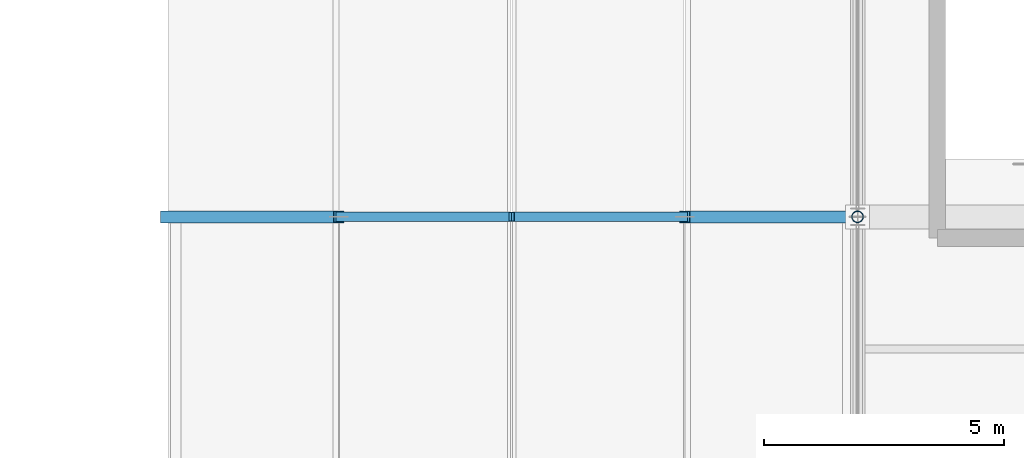
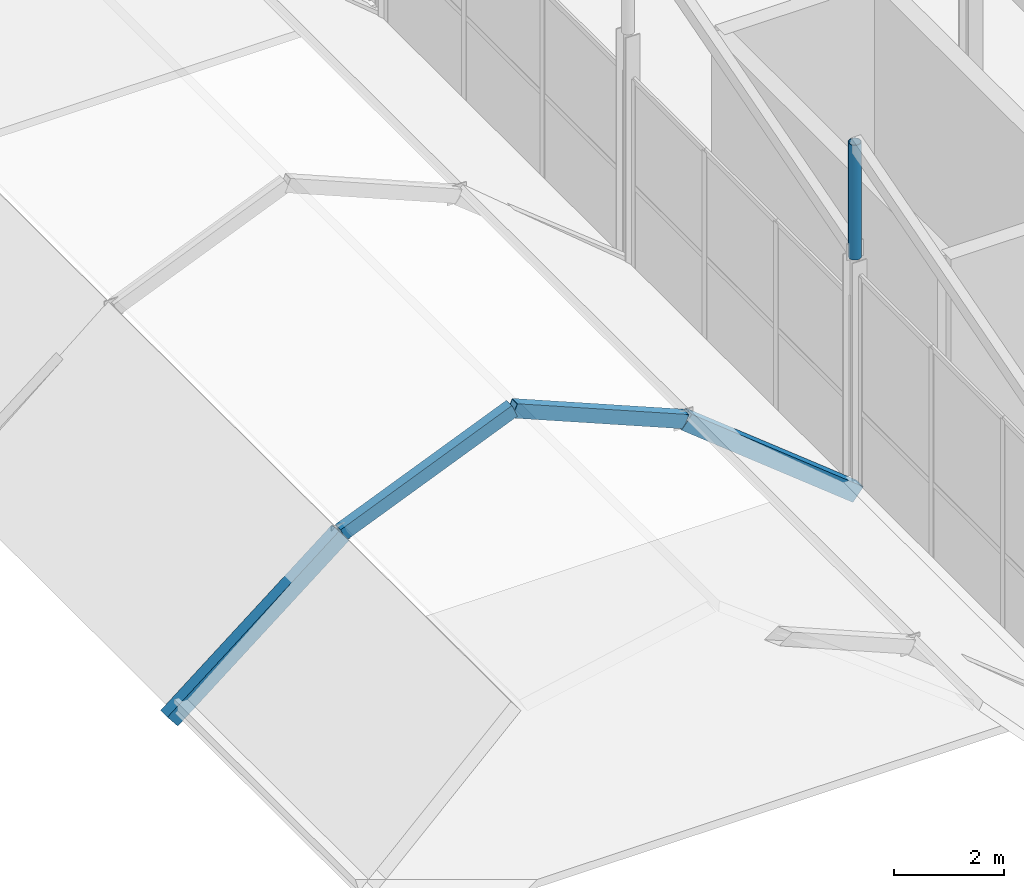
# One storey, part 17 of 141: 5 members.
"""IFC4 building model written with IfcOpenShell, lengths in metres."""

from ifc_helpers import new_model, si_unit, direction, frame, origin, origin_2d, place, context, subcontext, project, spatial, hollow_rectangle, hollow_circle, extrude, material, material_profile, profile_set, type_object, element, save


model = new_model("IFC4")

# Units and contexts
model_context = context("Model", 3, precision=1e-05, world=origin(), true_north=direction((0.0, 1.0)))
body_context = subcontext(model_context, "Body", "Model", "MODEL_VIEW")
ifc_project = project(units=[si_unit("LENGTHUNIT", "METRE"), si_unit("AREAUNIT", "SQUARE_METRE"), si_unit("VOLUMEUNIT", "CUBIC_METRE"), si_unit("PLANEANGLEUNIT", "RADIAN"), si_unit("MASSUNIT", "GRAM", prefix="KILO")], contexts=[model_context])

# Site, building, storey
site_placement = place(None, origin())
site = spatial("IfcSite", under=ifc_project, at=site_placement, CompositionType="ELEMENT")
building_placement = place(site_placement, origin())
building = spatial("IfcBuilding", under=site, at=building_placement, Name="Sundgate Opera House", CompositionType="ELEMENT")
storey_placement = place(building_placement, frame((0.0, 0.0, 11.39990234375)))
storey = spatial("IfcBuildingStorey", under=building, at=storey_placement, Name="L02", CompositionType="ELEMENT", Elevation=11.39990234375)

# Members
ifc_material_1 = material(Name="Steel S355J2", Category="steel")
ifc_material_profile_1 = material_profile(ifc_material_1, hollow_rectangle(XDim=0.199951171875, YDim=0.300048828125, WallThickness=0.012451171875, at=origin_2d()), Name="RHS 300x200x12.5")
ifc_profile_set_1 = profile_set([ifc_material_profile_1], Name="Steel S355J2")
member_type_1 = type_object("IfcMemberType", Name="MB-ARCH-RHS300", PredefinedType="USERDEFINED", material=ifc_profile_set_1)
member_1_placement = place(storey_placement, frame((84.60009765625, 24.75, 3.050048828125), z_axis=(0.923071366561, 0.0, 0.384628719983), x_axis=(0.0, 1.0, 0.0)))
element("IfcMember", 1, at=member_1_placement, inside=storey, type_object=member_type_1, Name="Passage Parabolic Arch Rib M0301", ObjectType="ARCH RIB", PredefinedType="USERDEFINED", context=body_context, shape_type="SweptSolid", body=[
    extrude(hollow_rectangle(XDim=0.199951171875, YDim=0.300048828125, WallThickness=0.012451171875, at=origin_2d()), origin(), (0.0, 0.0, 1.0), 3.89990234375),
])
member_2_placement = place(storey_placement, frame((88.199951171875, 24.75, 4.550048828125), z_axis=(0.9230806271, 0.0, -0.384606494839), x_axis=(0.0, 1.0, 0.0)))
element("IfcMember", 2, at=member_2_placement, inside=storey, type_object=member_type_1, Name="Passage Parabolic Arch Rib M0302", ObjectType="ARCH RIB", PredefinedType="USERDEFINED", context=body_context, shape_type="SweptSolid", body=[
    extrude(hollow_rectangle(XDim=0.199951171875, YDim=0.300048828125, WallThickness=0.012451171875, at=origin_2d()), origin(), (0.0, 0.0, 1.0), 3.900146484375),
])
ifc_material_2 = material(Name="Steel S355ML", Category="steel")
ifc_material_profile_2 = material_profile(ifc_material_2, hollow_rectangle(XDim=0.25, YDim=0.35009765625, WallThickness=0.012451171875, at=origin_2d()), Name="RHS 350x250x12.5")
ifc_profile_set_2 = profile_set([ifc_material_profile_2], Name="Steel S355ML")
member_type_2 = type_object("IfcMemberType", Name="MB-ARCH-RHS350", PredefinedType="USERDEFINED", material=ifc_profile_set_2)
member_3_placement = place(storey_placement, frame((81.0, 24.75, 0.18505859375), z_axis=(0.782465902377, 0.0, 0.622693433093), x_axis=(0.0, 1.0, 0.0)))
element("IfcMember", 3, at=member_3_placement, inside=storey, type_object=member_type_2, Name="Passage Parabolic Arch Rib M0300", ObjectType="ARCH RIB", PredefinedType="USERDEFINED", context=body_context, shape_type="SweptSolid", body=[
    extrude(hollow_rectangle(XDim=0.25, YDim=0.35009765625, WallThickness=0.012451171875, at=origin_2d()), origin(), (0.0, 0.0, 1.0), 4.60107421875),
])
member_4_placement = place(storey_placement, frame((91.800048828125, 24.75, 3.050048828125), z_axis=(0.782445326099, 0.0, -0.622719288015), x_axis=(0.0, 1.0, 0.0)))
element("IfcMember", 4, at=member_4_placement, inside=storey, type_object=member_type_2, Name="Passage Parabolic Arch Rib M0303", ObjectType="ARCH RIB", PredefinedType="USERDEFINED", context=body_context, shape_type="SweptSolid", body=[
    extrude(hollow_rectangle(XDim=0.25, YDim=0.35009765625, WallThickness=0.012451171875, at=origin_2d()), origin(), (0.0, 0.0, 1.0), 4.600830078125),
])
ifc_material_3 = material(Name="Steel S355J2", Category="steel")
ifc_material_profile_3 = material_profile(ifc_material_3, hollow_circle(Radius=0.122314453125, WallThickness=0.012451171875, at=origin_2d()), Name="CHS 244.5x12.5")
ifc_profile_set_3 = profile_set([ifc_material_profile_3], Name="Steel S355J2")
member_type_3 = type_object("IfcMemberType", Name="MB-STRUT-CHS244", PredefinedType="STRUT", material=ifc_profile_set_3)
member_5_placement = place(storey_placement, frame((95.39990234375, 24.75, 5.400146484375), z_axis=(0.0, 0.0, 1.0), x_axis=(1.0, 0.0, 0.0)))
element("IfcMember", 5, at=member_5_placement, inside=storey, type_object=member_type_3, Name="L02 Sawtooth Northlight Post M0400", PredefinedType="STRUT", context=body_context, shape_type="SweptSolid", body=[
    extrude(hollow_circle(Radius=0.122314453125, WallThickness=0.012451171875, at=origin_2d()), origin(), (0.0, 0.0, 1.0), 2.550048828125),
])

save(model, "model.ifc")
